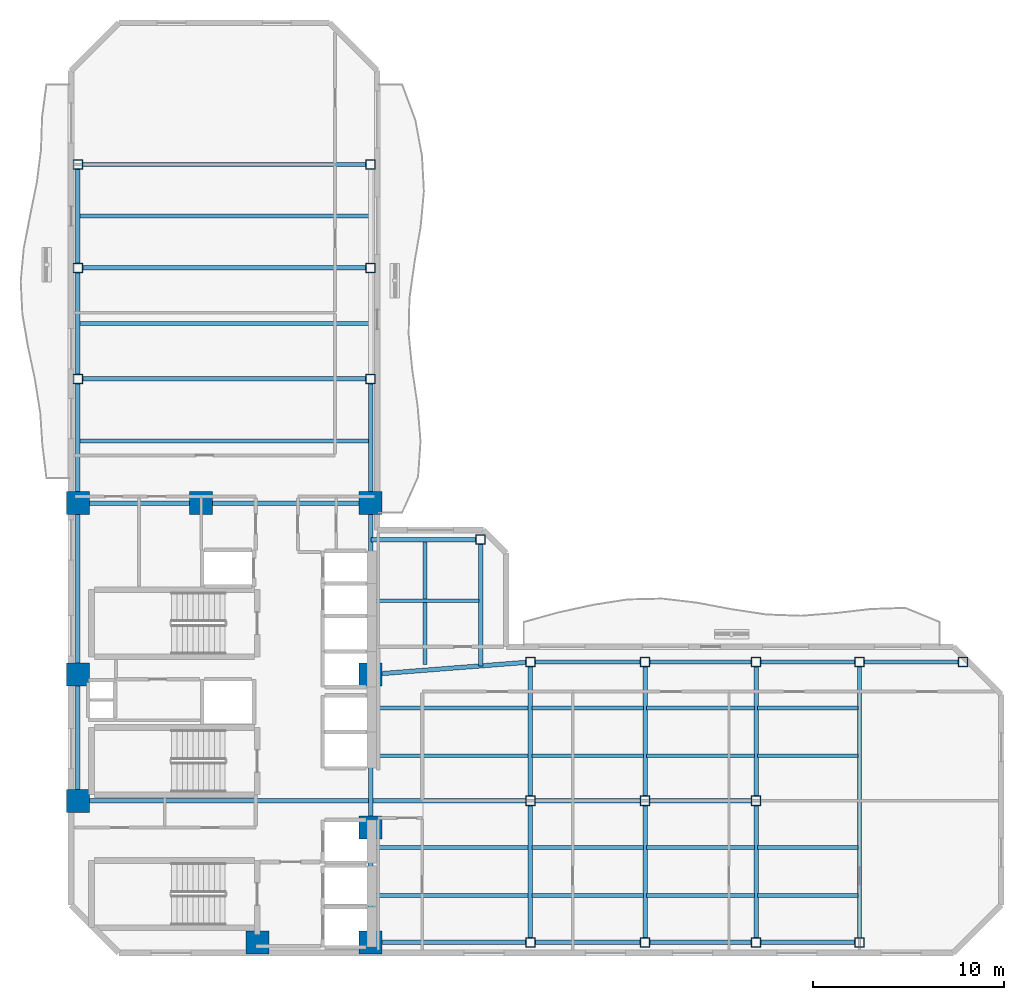
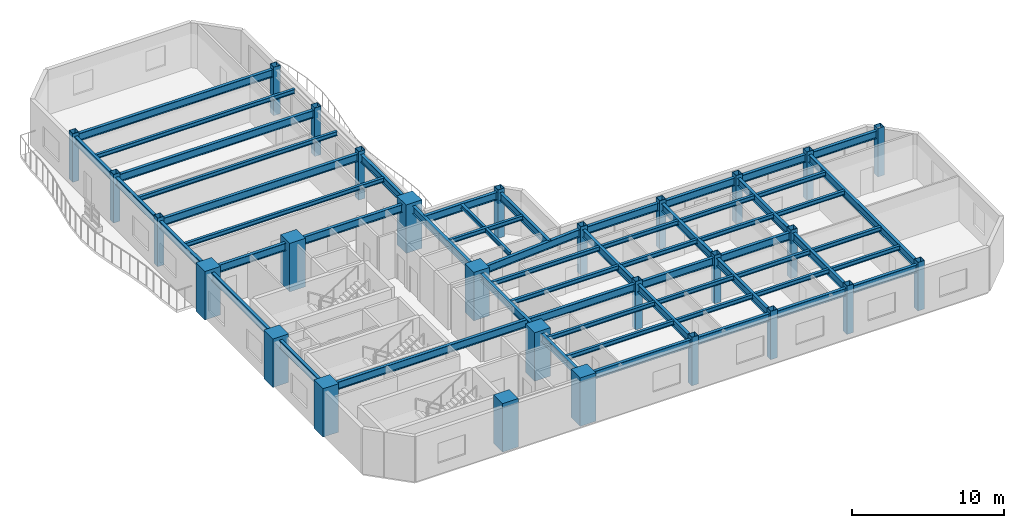
# One storey, part 1 of 9: 56 beams, 28 columns.
"""IFC4 building model written with IfcOpenShell, lengths in metres."""

from ifc_helpers import new_model, si_unit, direction, frame, origin, origin_2d, place, context, subcontext, project, spatial, rectangle, hollow_rectangle, i_section, extrude, material, material_profile, profile_set, type_object, element, save


model = new_model("IFC4")

# Units and contexts
model_context = context("Model", 3, precision=1e-05, world=origin(), true_north=direction((0.0, 1.0)))
body_context = subcontext(model_context, "Body", "Model", "MODEL_VIEW")
ifc_project = project(units=[si_unit("LENGTHUNIT", "METRE"), si_unit("AREAUNIT", "SQUARE_METRE"), si_unit("VOLUMEUNIT", "CUBIC_METRE"), si_unit("PLANEANGLEUNIT", "RADIAN"), si_unit("MASSUNIT", "GRAM", prefix="KILO")], contexts=[model_context])

# Site, building, storey
site_placement = place(None, origin())
site = spatial("IfcSite", under=ifc_project, at=site_placement, CompositionType="ELEMENT")
building_placement = place(site_placement, origin())
building = spatial("IfcBuilding", under=site, at=building_placement, Name="Mawjaban Terraces University", CompositionType="ELEMENT")
storey_placement = place(building_placement, frame((0.0, 0.0, 161.89990234375)))
storey = spatial("IfcBuildingStorey", under=building, at=storey_placement, Name="L39", CompositionType="ELEMENT", Elevation=161.89990234375)

# Columns
ifc_material_1 = material(Name="Concrete C60/75", Category="concrete")
ifc_material_profile_1 = material_profile(ifc_material_1, rectangle(XDim=1.199951171875, YDim=1.199951171875, at=origin_2d()), Name="RC1200X1200")
ifc_profile_set_1 = profile_set([ifc_material_profile_1], Name="Concrete C60/75")
column_type_1 = type_object("IfcColumnType", Name="Col_RC1200X1200", PredefinedType="COLUMN", material=ifc_profile_set_1)
for number, where, z_axis, x_axis, name in (
    (1, (31.75, 0.550048828125, 0.0), (0.0, 0.0, 1.0), (1.0, 0.0, 0.0), "L39 Column CC2"),
    (2, (37.64990234375, 0.550048828125, 0.0), (0.0, 0.0, 1.0), (1.0, 0.0, 0.0), "L39 Column CC3"),
    (3, (22.35009765625, 7.949951171875, 0.0), (0.0, 0.0, 1.0), (1.0, 0.0, 0.0), "L39 Column CC4"),
    (4, (37.64990234375, 6.550048828125, 0.0), (0.0, 0.0, 1.0), (1.0, 0.0, 0.0), "L39 Column CC5"),
    (5, (22.35009765625, 14.550048828125, 0.0), (0.0, 0.0, 1.0), (1.0, 0.0, 0.0), "L39 Column CC6"),
    (6, (37.64990234375, 14.550048828125, 0.0), (0.0, 0.0, 1.0), (1.0, 0.0, 0.0), "L39 Column CC7"),
    (7, (22.35009765625, 23.5, 0.0), (0.0, 0.0, 1.0), (1.0, 0.0, 0.0), "L39 Column CC8"),
    (8, (28.800048828125, 23.5, 0.0), (0.0, 0.0, 1.0), (1.0, 0.0, 0.0), "L39 Column CC9"),
    (9, (37.64990234375, 23.5, 0.0), (0.0, 0.0, 1.0), (1.0, 0.0, 0.0), "L39 Column CC10"),
):
    element("IfcColumn", number, at=place(storey_placement, frame(where, z_axis=z_axis, x_axis=x_axis)), inside=storey, type_object=column_type_1, Name=name, PredefinedType="COLUMN", context=body_context, shape_type="SweptSolid", body=[
        extrude(rectangle(XDim=1.199951171875, YDim=1.199951171875, at=origin_2d()), origin(), (0.0, 0.0, 1.0), 3.900146484375),
    ])
ifc_material_2 = material(Name="Steel EN 10210-1 S355J2H", Category="steel")
ifc_material_profile_2 = material_profile(ifc_material_2, hollow_rectangle(XDim=0.5, YDim=0.5, WallThickness=0.02490234375, at=origin_2d()), Name="SHS500X500X25")
ifc_profile_set_2 = profile_set([ifc_material_profile_2], Name="Steel EN 10210-1 S355J2H")
column_type_2 = type_object("IfcColumnType", Name="Col_SHS500X500X25", PredefinedType="COLUMN", material=ifc_profile_set_2)
for number, where, z_axis, x_axis, name in (
    (10, (46.0, 0.550048828125, 0.0), (0.0, 0.0, 1.0), (1.0, 0.0, 0.0), "L39 Column TE-460-005"),
    (11, (46.0, 7.949951171875, 0.0), (0.0, 0.0, 1.0), (1.0, 0.0, 0.0), "L39 Column TE-460-080"),
    (12, (46.0, 15.199951171875, 0.0), (0.0, 0.0, 1.0), (1.0, 0.0, 0.0), "L39 Column TE-460-152"),
    (13, (52.0, 0.550048828125, 0.0), (0.0, 0.0, 1.0), (1.0, 0.0, 0.0), "L39 Column TE-520-005"),
    (14, (52.0, 7.949951171875, 0.0), (0.0, 0.0, 1.0), (1.0, 0.0, 0.0), "L39 Column TE-520-080"),
    (15, (52.0, 15.199951171875, 0.0), (0.0, 0.0, 1.0), (1.0, 0.0, 0.0), "L39 Column TE-520-152"),
    (16, (57.800048828125, 0.550048828125, 0.0), (0.0, 0.0, 1.0), (1.0, 0.0, 0.0), "L39 Column TE-578-005"),
    (17, (57.800048828125, 7.949951171875, 0.0), (0.0, 0.0, 1.0), (1.0, 0.0, 0.0), "L39 Column TE-578-080"),
    (18, (57.800048828125, 15.199951171875, 0.0), (0.0, 0.0, 1.0), (1.0, 0.0, 0.0), "L39 Column TE-578-152"),
    (19, (63.199951171875, 0.550048828125, 0.0), (0.0, 0.0, 1.0), (1.0, 0.0, 0.0), "L39 Column TE-632-005"),
    (20, (63.199951171875, 15.199951171875, 0.0), (0.0, 0.0, 1.0), (1.0, 0.0, 0.0), "L39 Column TE-632-152"),
    (21, (68.60009765625, 15.199951171875, 0.0), (0.0, 0.0, 1.0), (1.0, 0.0, 0.0), "L39 Column TE-686-152"),
    (22, (22.35009765625, 30.0, 0.0), (0.0, 0.0, 1.0), (1.0, 0.0, 0.0), "L39 Column TN-223-300"),
    (23, (37.64990234375, 30.0, 0.0), (0.0, 0.0, 1.0), (1.0, 0.0, 0.0), "L39 Column TN-376-300"),
    (24, (22.35009765625, 35.800048828125, 0.0), (0.0, 0.0, 1.0), (1.0, 0.0, 0.0), "L39 Column TN-223-358"),
    (25, (37.64990234375, 35.800048828125, 0.0), (0.0, 0.0, 1.0), (1.0, 0.0, 0.0), "L39 Column TN-376-358"),
    (26, (22.35009765625, 41.199951171875, 0.0), (0.0, 0.0, 1.0), (1.0, 0.0, 0.0), "L39 Column TN-223-412"),
    (27, (37.64990234375, 41.199951171875, 0.0), (0.0, 0.0, 1.0), (1.0, 0.0, 0.0), "L39 Column TN-376-412"),
    (28, (43.39990234375, 21.60009765625, 0.0), (0.0, 0.0, 1.0), (1.0, 0.0, 0.0), "L39 Column TS-434-216"),
):
    element("IfcColumn", number, at=place(storey_placement, frame(where, z_axis=z_axis, x_axis=x_axis)), inside=storey, type_object=column_type_2, Name=name, PredefinedType="COLUMN", context=body_context, shape_type="SweptSolid", body=[
        extrude(hollow_rectangle(XDim=0.5, YDim=0.5, WallThickness=0.02490234375, at=origin_2d()), origin(), (0.0, 0.0, 1.0), 3.900146484375),
    ])

# Beams
ifc_material_3 = material(Name="Steel ASTM A572 Grade 50", Category="steel")
ifc_material_profile_3 = material_profile(ifc_material_3, i_section(OverallWidth=0.22998046875, OverallDepth=0.616943359375, WebThickness=0.01318359375, FlangeThickness=0.022216796875, at=origin_2d()), Name="W610X140")
ifc_profile_set_3 = profile_set([ifc_material_profile_3], Name="Steel ASTM A572 Grade 50")
beam_type_1 = type_object("IfcBeamType", Name="Beam_B_W610X140", PredefinedType="BEAM", material=ifc_profile_set_3)
beam_1_placement = place(storey_placement, frame((38.25, 0.550048828125, 3.3310546875), z_axis=(1.0, 0.0, 0.0), x_axis=(0.0, 1.0, 0.0)))
element("IfcBeam", 29, at=beam_1_placement, inside=storey, type_object=beam_type_1, Name="L39 Beam BM-L39-EW-01", PredefinedType="BEAM", context=body_context, shape_type="SweptSolid", body=[
    extrude(i_section(OverallWidth=0.22998046875, OverallDepth=0.616943359375, WebThickness=0.01318359375, FlangeThickness=0.022216796875, at=origin_2d()), origin(), (0.0, 0.0, 1.0), 7.5),
])
beam_2_placement = place(storey_placement, frame((46.25, 0.550048828125, 3.3310546875), z_axis=(1.0, 0.0, 0.0), x_axis=(0.0, 1.0, 0.0)))
element("IfcBeam", 30, at=beam_2_placement, inside=storey, type_object=beam_type_1, Name="L39 Beam BM-L39-EW-02", PredefinedType="BEAM", context=body_context, shape_type="SweptSolid", body=[
    extrude(i_section(OverallWidth=0.22998046875, OverallDepth=0.616943359375, WebThickness=0.01318359375, FlangeThickness=0.022216796875, at=origin_2d()), origin(), (0.0, 0.0, 1.0), 5.5),
])
beam_3_placement = place(storey_placement, frame((52.25, 0.550048828125, 3.3310546875), z_axis=(1.0, 0.0, 0.0), x_axis=(0.0, 1.0, 0.0)))
element("IfcBeam", 31, at=beam_3_placement, inside=storey, type_object=beam_type_1, Name="L39 Beam BM-L39-EW-03", PredefinedType="BEAM", context=body_context, shape_type="SweptSolid", body=[
    extrude(i_section(OverallWidth=0.22998046875, OverallDepth=0.616943359375, WebThickness=0.01318359375, FlangeThickness=0.022216796875, at=origin_2d()), origin(), (0.0, 0.0, 1.0), 5.300048828125),
])
beam_4_placement = place(storey_placement, frame((58.050048828125, 0.550048828125, 3.3310546875), z_axis=(1.0, 0.0, 0.0), x_axis=(0.0, 1.0, 0.0)))
element("IfcBeam", 32, at=beam_4_placement, inside=storey, type_object=beam_type_1, Name="L39 Beam BM-L39-EW-04", PredefinedType="BEAM", context=body_context, shape_type="SweptSolid", body=[
    extrude(i_section(OverallWidth=0.22998046875, OverallDepth=0.616943359375, WebThickness=0.01318359375, FlangeThickness=0.022216796875, at=origin_2d()), origin(), (0.0, 0.0, 1.0), 4.89990234375),
])
beam_5_placement = place(storey_placement, frame((22.949951171875, 7.949951171875, 3.3310546875), z_axis=(1.0, 0.0, 0.0), x_axis=(0.0, 1.0, 0.0)))
element("IfcBeam", 33, at=beam_5_placement, inside=storey, type_object=beam_type_1, Name="L39 Beam BM-L39-EW-05", PredefinedType="BEAM", context=body_context, shape_type="SweptSolid", body=[
    extrude(i_section(OverallWidth=0.22998046875, OverallDepth=0.616943359375, WebThickness=0.01318359375, FlangeThickness=0.022216796875, at=origin_2d()), origin(), (0.0, 0.0, 1.0), 22.800048828125),
])
beam_6_placement = place(storey_placement, frame((46.25, 7.949951171875, 3.3310546875), z_axis=(1.0, 0.0, 0.0), x_axis=(0.0, 1.0, 0.0)))
element("IfcBeam", 34, at=beam_6_placement, inside=storey, type_object=beam_type_1, Name="L39 Beam BM-L39-EW-06", PredefinedType="BEAM", context=body_context, shape_type="SweptSolid", body=[
    extrude(i_section(OverallWidth=0.22998046875, OverallDepth=0.616943359375, WebThickness=0.01318359375, FlangeThickness=0.022216796875, at=origin_2d()), origin(), (0.0, 0.0, 1.0), 5.5),
])
beam_7_placement = place(storey_placement, frame((52.25, 7.949951171875, 3.3310546875), z_axis=(1.0, 0.0, 0.0), x_axis=(0.0, 1.0, 0.0)))
element("IfcBeam", 35, at=beam_7_placement, inside=storey, type_object=beam_type_1, Name="L39 Beam BM-L39-EW-07", PredefinedType="BEAM", context=body_context, shape_type="SweptSolid", body=[
    extrude(i_section(OverallWidth=0.22998046875, OverallDepth=0.616943359375, WebThickness=0.01318359375, FlangeThickness=0.022216796875, at=origin_2d()), origin(), (0.0, 0.0, 1.0), 5.300048828125),
])
beam_8_placement = place(storey_placement, frame((46.25, 15.199951171875, 3.3310546875), z_axis=(1.0, 0.0, 0.0), x_axis=(0.0, 1.0, 0.0)))
element("IfcBeam", 36, at=beam_8_placement, inside=storey, type_object=beam_type_1, Name="L39 Beam BM-L39-EW-08", PredefinedType="BEAM", context=body_context, shape_type="SweptSolid", body=[
    extrude(i_section(OverallWidth=0.22998046875, OverallDepth=0.616943359375, WebThickness=0.01318359375, FlangeThickness=0.022216796875, at=origin_2d()), origin(), (0.0, 0.0, 1.0), 5.5),
])
beam_9_placement = place(storey_placement, frame((52.25, 15.199951171875, 3.3310546875), z_axis=(1.0, 0.0, 0.0), x_axis=(0.0, 1.0, 0.0)))
element("IfcBeam", 37, at=beam_9_placement, inside=storey, type_object=beam_type_1, Name="L39 Beam BM-L39-EW-09", PredefinedType="BEAM", context=body_context, shape_type="SweptSolid", body=[
    extrude(i_section(OverallWidth=0.22998046875, OverallDepth=0.616943359375, WebThickness=0.01318359375, FlangeThickness=0.022216796875, at=origin_2d()), origin(), (0.0, 0.0, 1.0), 5.300048828125),
])
beam_10_placement = place(storey_placement, frame((58.050048828125, 15.199951171875, 3.3310546875), z_axis=(1.0, 0.0, 0.0), x_axis=(0.0, 1.0, 0.0)))
element("IfcBeam", 38, at=beam_10_placement, inside=storey, type_object=beam_type_1, Name="L39 Beam BM-L39-EW-10", PredefinedType="BEAM", context=body_context, shape_type="SweptSolid", body=[
    extrude(i_section(OverallWidth=0.22998046875, OverallDepth=0.616943359375, WebThickness=0.01318359375, FlangeThickness=0.022216796875, at=origin_2d()), origin(), (0.0, 0.0, 1.0), 4.89990234375),
])
beam_11_placement = place(storey_placement, frame((63.449951171875, 15.199951171875, 3.3310546875), z_axis=(1.0, 0.0, 0.0), x_axis=(0.0, 1.0, 0.0)))
element("IfcBeam", 39, at=beam_11_placement, inside=storey, type_object=beam_type_1, Name="L39 Beam BM-L39-EW-11", PredefinedType="BEAM", context=body_context, shape_type="SweptSolid", body=[
    extrude(i_section(OverallWidth=0.22998046875, OverallDepth=0.616943359375, WebThickness=0.01318359375, FlangeThickness=0.022216796875, at=origin_2d()), origin(), (0.0, 0.0, 1.0), 4.900146484375),
])
beam_12_placement = place(storey_placement, frame((22.949951171875, 23.5, 3.3310546875), z_axis=(1.0, 0.0, 0.0), x_axis=(0.0, 1.0, 0.0)))
element("IfcBeam", 40, at=beam_12_placement, inside=storey, type_object=beam_type_1, Name="L39 Beam BM-L39-EW-12", PredefinedType="BEAM", context=body_context, shape_type="SweptSolid", body=[
    extrude(i_section(OverallWidth=0.22998046875, OverallDepth=0.616943359375, WebThickness=0.01318359375, FlangeThickness=0.022216796875, at=origin_2d()), origin(), (0.0, 0.0, 1.0), 5.25),
])
beam_13_placement = place(storey_placement, frame((29.39990234375, 23.5, 3.3310546875), z_axis=(1.0, 0.0, 0.0), x_axis=(0.0, 1.0, 0.0)))
element("IfcBeam", 41, at=beam_13_placement, inside=storey, type_object=beam_type_1, Name="L39 Beam BM-L39-EW-13", PredefinedType="BEAM", context=body_context, shape_type="SweptSolid", body=[
    extrude(i_section(OverallWidth=0.22998046875, OverallDepth=0.616943359375, WebThickness=0.01318359375, FlangeThickness=0.022216796875, at=origin_2d()), origin(), (0.0, 0.0, 1.0), 7.650146484375),
])
for number, where, z_axis, x_axis, name in (
    (42, (22.60009765625, 30.0, 3.3310546875), (1.0, 0.0, 0.0), (0.0, 1.0, 0.0), "L39 Beam BM-L39-EW-14"),
    (43, (22.60009765625, 35.800048828125, 3.3310546875), (1.0, 0.0, 0.0), (0.0, 1.0, 0.0), "L39 Beam BM-L39-EW-15"),
    (44, (22.60009765625, 41.199951171875, 3.3310546875), (1.0, 0.0, 0.0), (0.0, 1.0, 0.0), "L39 Beam BM-L39-EW-16"),
):
    element("IfcBeam", number, at=place(storey_placement, frame(where, z_axis=z_axis, x_axis=x_axis)), inside=storey, type_object=beam_type_1, Name=name, PredefinedType="BEAM", context=body_context, shape_type="SweptSolid", body=[
        extrude(i_section(OverallWidth=0.22998046875, OverallDepth=0.616943359375, WebThickness=0.01318359375, FlangeThickness=0.022216796875, at=origin_2d()), origin(), (0.0, 0.0, 1.0), 14.7998046875),
    ])
beam_14_placement = place(storey_placement, frame((22.35009765625, 8.550048828125, 3.3310546875), z_axis=(0.0, 1.0, 0.0), x_axis=(-1.0, 0.0, 0.0)))
element("IfcBeam", 45, at=beam_14_placement, inside=storey, type_object=beam_type_1, Name="L39 Beam BM-L39-NS-01", PredefinedType="BEAM", context=body_context, shape_type="SweptSolid", body=[
    extrude(i_section(OverallWidth=0.22998046875, OverallDepth=0.616943359375, WebThickness=0.01318359375, FlangeThickness=0.022216796875, at=origin_2d()), origin(), (0.0, 0.0, 1.0), 5.39990234375),
])
beam_15_placement = place(storey_placement, frame((22.35009765625, 15.14990234375, 3.3310546875), z_axis=(0.0, 1.0, 0.0), x_axis=(-1.0, 0.0, 0.0)))
element("IfcBeam", 46, at=beam_15_placement, inside=storey, type_object=beam_type_1, Name="L39 Beam BM-L39-NS-02", PredefinedType="BEAM", context=body_context, shape_type="SweptSolid", body=[
    extrude(i_section(OverallWidth=0.22998046875, OverallDepth=0.616943359375, WebThickness=0.01318359375, FlangeThickness=0.022216796875, at=origin_2d()), origin(), (0.0, 0.0, 1.0), 7.75),
])
beam_16_placement = place(storey_placement, frame((22.35009765625, 24.10009765625, 3.3310546875), z_axis=(0.0, 1.0, 0.0), x_axis=(-1.0, 0.0, 0.0)))
element("IfcBeam", 47, at=beam_16_placement, inside=storey, type_object=beam_type_1, Name="L39 Beam BM-L39-NS-03", PredefinedType="BEAM", context=body_context, shape_type="SweptSolid", body=[
    extrude(i_section(OverallWidth=0.22998046875, OverallDepth=0.616943359375, WebThickness=0.01318359375, FlangeThickness=0.022216796875, at=origin_2d()), origin(), (0.0, 0.0, 1.0), 5.64990234375),
])
beam_17_placement = place(storey_placement, frame((22.35009765625, 30.25, 3.3310546875), z_axis=(0.0, 1.0, 0.0), x_axis=(-1.0, 0.0, 0.0)))
element("IfcBeam", 48, at=beam_17_placement, inside=storey, type_object=beam_type_1, Name="L39 Beam BM-L39-NS-04", PredefinedType="BEAM", context=body_context, shape_type="SweptSolid", body=[
    extrude(i_section(OverallWidth=0.22998046875, OverallDepth=0.616943359375, WebThickness=0.01318359375, FlangeThickness=0.022216796875, at=origin_2d()), origin(), (0.0, 0.0, 1.0), 5.300048828125),
])
beam_18_placement = place(storey_placement, frame((22.35009765625, 36.050048828125, 3.3310546875), z_axis=(0.0, 1.0, 0.0), x_axis=(-1.0, 0.0, 0.0)))
element("IfcBeam", 49, at=beam_18_placement, inside=storey, type_object=beam_type_1, Name="L39 Beam BM-L39-NS-05", PredefinedType="BEAM", context=body_context, shape_type="SweptSolid", body=[
    extrude(i_section(OverallWidth=0.22998046875, OverallDepth=0.616943359375, WebThickness=0.01318359375, FlangeThickness=0.022216796875, at=origin_2d()), origin(), (0.0, 0.0, 1.0), 4.89990234375),
])
beam_19_placement = place(storey_placement, frame((37.64990234375, 1.14990234375, 3.3310546875), z_axis=(0.0, 1.0, 0.0), x_axis=(-1.0, 0.0, 0.0)))
element("IfcBeam", 50, at=beam_19_placement, inside=storey, type_object=beam_type_1, Name="L39 Beam BM-L39-NS-06", PredefinedType="BEAM", context=body_context, shape_type="SweptSolid", body=[
    extrude(i_section(OverallWidth=0.22998046875, OverallDepth=0.616943359375, WebThickness=0.01318359375, FlangeThickness=0.022216796875, at=origin_2d()), origin(), (0.0, 0.0, 1.0), 4.800048828125),
])
beam_20_placement = place(storey_placement, frame((37.64990234375, 7.14990234375, 3.3310546875), z_axis=(0.0, 1.0, 0.0), x_axis=(-1.0, 0.0, 0.0)))
element("IfcBeam", 51, at=beam_20_placement, inside=storey, type_object=beam_type_1, Name="L39 Beam BM-L39-NS-07", PredefinedType="BEAM", context=body_context, shape_type="SweptSolid", body=[
    extrude(i_section(OverallWidth=0.22998046875, OverallDepth=0.616943359375, WebThickness=0.01318359375, FlangeThickness=0.022216796875, at=origin_2d()), origin(), (0.0, 0.0, 1.0), 6.800048828125),
])
beam_21_placement = place(storey_placement, frame((37.64990234375, 15.14990234375, 3.3310546875), z_axis=(0.0, 1.0, 0.0), x_axis=(-1.0, 0.0, 0.0)))
element("IfcBeam", 52, at=beam_21_placement, inside=storey, type_object=beam_type_1, Name="L39 Beam BM-L39-NS-08", PredefinedType="BEAM", context=body_context, shape_type="SweptSolid", body=[
    extrude(i_section(OverallWidth=0.22998046875, OverallDepth=0.616943359375, WebThickness=0.01318359375, FlangeThickness=0.022216796875, at=origin_2d()), origin(), (0.0, 0.0, 1.0), 7.75),
])
beam_22_placement = place(storey_placement, frame((37.64990234375, 24.10009765625, 3.3310546875), z_axis=(0.0, 1.0, 0.0), x_axis=(-1.0, 0.0, 0.0)))
element("IfcBeam", 53, at=beam_22_placement, inside=storey, type_object=beam_type_1, Name="L39 Beam BM-L39-NS-09", PredefinedType="BEAM", context=body_context, shape_type="SweptSolid", body=[
    extrude(i_section(OverallWidth=0.22998046875, OverallDepth=0.616943359375, WebThickness=0.01318359375, FlangeThickness=0.022216796875, at=origin_2d()), origin(), (0.0, 0.0, 1.0), 5.64990234375),
])
beam_23_placement = place(storey_placement, frame((46.0, 0.800048828125, 3.3310546875), z_axis=(0.0, 1.0, 0.0), x_axis=(-1.0, 0.0, 0.0)))
element("IfcBeam", 54, at=beam_23_placement, inside=storey, type_object=beam_type_1, Name="L39 Beam BM-L39-NS-12", PredefinedType="BEAM", context=body_context, shape_type="SweptSolid", body=[
    extrude(i_section(OverallWidth=0.22998046875, OverallDepth=0.616943359375, WebThickness=0.01318359375, FlangeThickness=0.022216796875, at=origin_2d()), origin(), (0.0, 0.0, 1.0), 6.89990234375),
])
beam_24_placement = place(storey_placement, frame((46.0, 8.199951171875, 3.3310546875), z_axis=(0.0, 1.0, 0.0), x_axis=(-1.0, 0.0, 0.0)))
element("IfcBeam", 55, at=beam_24_placement, inside=storey, type_object=beam_type_1, Name="L39 Beam BM-L39-NS-13", PredefinedType="BEAM", context=body_context, shape_type="SweptSolid", body=[
    extrude(i_section(OverallWidth=0.22998046875, OverallDepth=0.616943359375, WebThickness=0.01318359375, FlangeThickness=0.022216796875, at=origin_2d()), origin(), (0.0, 0.0, 1.0), 6.75),
])
beam_25_placement = place(storey_placement, frame((52.0, 0.800048828125, 3.3310546875), z_axis=(0.0, 1.0, 0.0), x_axis=(-1.0, 0.0, 0.0)))
element("IfcBeam", 56, at=beam_25_placement, inside=storey, type_object=beam_type_1, Name="L39 Beam BM-L39-NS-14", PredefinedType="BEAM", context=body_context, shape_type="SweptSolid", body=[
    extrude(i_section(OverallWidth=0.22998046875, OverallDepth=0.616943359375, WebThickness=0.01318359375, FlangeThickness=0.022216796875, at=origin_2d()), origin(), (0.0, 0.0, 1.0), 6.89990234375),
])
beam_26_placement = place(storey_placement, frame((52.0, 8.199951171875, 3.3310546875), z_axis=(0.0, 1.0, 0.0), x_axis=(-1.0, 0.0, 0.0)))
element("IfcBeam", 57, at=beam_26_placement, inside=storey, type_object=beam_type_1, Name="L39 Beam BM-L39-NS-15", PredefinedType="BEAM", context=body_context, shape_type="SweptSolid", body=[
    extrude(i_section(OverallWidth=0.22998046875, OverallDepth=0.616943359375, WebThickness=0.01318359375, FlangeThickness=0.022216796875, at=origin_2d()), origin(), (0.0, 0.0, 1.0), 6.75),
])
beam_27_placement = place(storey_placement, frame((57.800048828125, 0.800048828125, 3.3310546875), z_axis=(0.0, 1.0, 0.0), x_axis=(-1.0, 0.0, 0.0)))
element("IfcBeam", 58, at=beam_27_placement, inside=storey, type_object=beam_type_1, Name="L39 Beam BM-L39-NS-16", PredefinedType="BEAM", context=body_context, shape_type="SweptSolid", body=[
    extrude(i_section(OverallWidth=0.22998046875, OverallDepth=0.616943359375, WebThickness=0.01318359375, FlangeThickness=0.022216796875, at=origin_2d()), origin(), (0.0, 0.0, 1.0), 6.89990234375),
])
beam_28_placement = place(storey_placement, frame((57.800048828125, 8.199951171875, 3.3310546875), z_axis=(0.0, 1.0, 0.0), x_axis=(-1.0, 0.0, 0.0)))
element("IfcBeam", 59, at=beam_28_placement, inside=storey, type_object=beam_type_1, Name="L39 Beam BM-L39-NS-17", PredefinedType="BEAM", context=body_context, shape_type="SweptSolid", body=[
    extrude(i_section(OverallWidth=0.22998046875, OverallDepth=0.616943359375, WebThickness=0.01318359375, FlangeThickness=0.022216796875, at=origin_2d()), origin(), (0.0, 0.0, 1.0), 6.75),
])
beam_29_placement = place(storey_placement, frame((63.199951171875, 0.800048828125, 3.3310546875), z_axis=(0.0, 1.0, 0.0), x_axis=(-1.0, 0.0, 0.0)))
element("IfcBeam", 60, at=beam_29_placement, inside=storey, type_object=beam_type_1, Name="L39 Beam BM-L39-NS-18", PredefinedType="BEAM", context=body_context, shape_type="SweptSolid", body=[
    extrude(i_section(OverallWidth=0.22998046875, OverallDepth=0.616943359375, WebThickness=0.01318359375, FlangeThickness=0.022216796875, at=origin_2d()), origin(), (0.0, 0.0, 1.0), 14.14990234375),
])
beam_30_placement = place(storey_placement, frame((38.248046875, 14.596923828125, 3.3310546875), z_axis=(0.996984614132, 0.077599479273, 0.0), x_axis=(-0.077599479273, 0.996984614132, 0.0)))
element("IfcBeam", 61, at=beam_30_placement, inside=storey, type_object=beam_type_1, Name="L39 Beam BM-L39-CTIE", PredefinedType="BEAM", context=body_context, shape_type="SweptSolid", body=[
    extrude(i_section(OverallWidth=0.22998046875, OverallDepth=0.616943359375, WebThickness=0.01318359375, FlangeThickness=0.022216796875, at=origin_2d()), origin(), (0.0, 0.0, 1.0), 7.525634765625),
])
beam_31_placement = place(storey_placement, frame((37.679931640625, 21.60009765625, 3.3310546875), z_axis=(1.0, 0.0, 0.0), x_axis=(0.0, 1.0, 0.0)))
element("IfcBeam", 62, at=beam_31_placement, inside=storey, type_object=beam_type_1, Name="L39 Spur Tie Girder West", PredefinedType="BEAM", context=body_context, shape_type="SweptSolid", body=[
    extrude(i_section(OverallWidth=0.22998046875, OverallDepth=0.616943359375, WebThickness=0.01318359375, FlangeThickness=0.022216796875, at=origin_2d()), origin(), (0.0, 0.0, 1.0), 5.469970703125),
])
beam_32_placement = place(storey_placement, frame((43.39990234375, 15.0, 3.3310546875), z_axis=(0.0, 1.0, 0.0), x_axis=(-1.0, 0.0, 0.0)))
element("IfcBeam", 63, at=beam_32_placement, inside=storey, type_object=beam_type_1, Name="L39 Spur Tie Girder South", PredefinedType="BEAM", context=body_context, shape_type="SweptSolid", body=[
    extrude(i_section(OverallWidth=0.22998046875, OverallDepth=0.616943359375, WebThickness=0.01318359375, FlangeThickness=0.022216796875, at=origin_2d()), origin(), (0.0, 0.0, 1.0), 6.35009765625),
])
ifc_material_profile_4 = material_profile(ifc_material_3, i_section(OverallWidth=0.202880859375, OverallDepth=0.346923828125, WebThickness=0.0078125, FlangeThickness=0.013427734375, at=origin_2d()), Name="W360X64")
ifc_profile_set_4 = profile_set([ifc_material_profile_4], Name="Steel ASTM A572 Grade 50")
beam_type_2 = type_object("IfcBeamType", Name="Beam_J_W360X64", PredefinedType="JOIST", material=ifc_profile_set_4)
beam_33_placement = place(storey_placement, frame((37.72998046875, 3.0, 3.467041015625), z_axis=(1.0, 0.0, 0.0), x_axis=(0.0, 1.0, 0.0)))
element("IfcBeam", 64, at=beam_33_placement, inside=storey, type_object=beam_type_2, Name="L39 Composite Joist JST-L39-01", PredefinedType="JOIST", context=body_context, shape_type="SweptSolid", body=[
    extrude(i_section(OverallWidth=0.202880859375, OverallDepth=0.346923828125, WebThickness=0.0078125, FlangeThickness=0.013427734375, at=origin_2d()), origin(), (0.0, 0.0, 1.0), 8.18994140625),
])
beam_34_placement = place(storey_placement, frame((46.080078125, 3.0, 3.467041015625), z_axis=(1.0, 0.0, 0.0), x_axis=(0.0, 1.0, 0.0)))
element("IfcBeam", 65, at=beam_34_placement, inside=storey, type_object=beam_type_2, Name="L39 Composite Joist JST-L39-02", PredefinedType="JOIST", context=body_context, shape_type="SweptSolid", body=[
    extrude(i_section(OverallWidth=0.202880859375, OverallDepth=0.346923828125, WebThickness=0.0078125, FlangeThickness=0.013427734375, at=origin_2d()), origin(), (0.0, 0.0, 1.0), 5.83984375),
])
beam_35_placement = place(storey_placement, frame((52.080078125, 3.0, 3.467041015625), z_axis=(1.0, 0.0, 0.0), x_axis=(0.0, 1.0, 0.0)))
element("IfcBeam", 66, at=beam_35_placement, inside=storey, type_object=beam_type_2, Name="L39 Composite Joist JST-L39-03", PredefinedType="JOIST", context=body_context, shape_type="SweptSolid", body=[
    extrude(i_section(OverallWidth=0.202880859375, OverallDepth=0.346923828125, WebThickness=0.0078125, FlangeThickness=0.013427734375, at=origin_2d()), origin(), (0.0, 0.0, 1.0), 5.639892578125),
])
beam_36_placement = place(storey_placement, frame((57.8798828125, 3.0, 3.467041015625), z_axis=(1.0, 0.0, 0.0), x_axis=(0.0, 1.0, 0.0)))
element("IfcBeam", 67, at=beam_36_placement, inside=storey, type_object=beam_type_2, Name="L39 Composite Joist JST-L39-04", PredefinedType="JOIST", context=body_context, shape_type="SweptSolid", body=[
    extrude(i_section(OverallWidth=0.202880859375, OverallDepth=0.346923828125, WebThickness=0.0078125, FlangeThickness=0.013427734375, at=origin_2d()), origin(), (0.0, 0.0, 1.0), 5.240234375),
])
beam_37_placement = place(storey_placement, frame((37.72998046875, 5.5, 3.467041015625), z_axis=(1.0, 0.0, 0.0), x_axis=(0.0, 1.0, 0.0)))
element("IfcBeam", 68, at=beam_37_placement, inside=storey, type_object=beam_type_2, Name="L39 Composite Joist JST-L39-05", PredefinedType="JOIST", context=body_context, shape_type="SweptSolid", body=[
    extrude(i_section(OverallWidth=0.202880859375, OverallDepth=0.346923828125, WebThickness=0.0078125, FlangeThickness=0.013427734375, at=origin_2d()), origin(), (0.0, 0.0, 1.0), 8.18994140625),
])
beam_38_placement = place(storey_placement, frame((46.080078125, 5.5, 3.467041015625), z_axis=(1.0, 0.0, 0.0), x_axis=(0.0, 1.0, 0.0)))
element("IfcBeam", 69, at=beam_38_placement, inside=storey, type_object=beam_type_2, Name="L39 Composite Joist JST-L39-06", PredefinedType="JOIST", context=body_context, shape_type="SweptSolid", body=[
    extrude(i_section(OverallWidth=0.202880859375, OverallDepth=0.346923828125, WebThickness=0.0078125, FlangeThickness=0.013427734375, at=origin_2d()), origin(), (0.0, 0.0, 1.0), 5.83984375),
])
beam_39_placement = place(storey_placement, frame((52.080078125, 5.5, 3.467041015625), z_axis=(1.0, 0.0, 0.0), x_axis=(0.0, 1.0, 0.0)))
element("IfcBeam", 70, at=beam_39_placement, inside=storey, type_object=beam_type_2, Name="L39 Composite Joist JST-L39-07", PredefinedType="JOIST", context=body_context, shape_type="SweptSolid", body=[
    extrude(i_section(OverallWidth=0.202880859375, OverallDepth=0.346923828125, WebThickness=0.0078125, FlangeThickness=0.013427734375, at=origin_2d()), origin(), (0.0, 0.0, 1.0), 5.639892578125),
])
beam_40_placement = place(storey_placement, frame((57.8798828125, 5.5, 3.467041015625), z_axis=(1.0, 0.0, 0.0), x_axis=(0.0, 1.0, 0.0)))
element("IfcBeam", 71, at=beam_40_placement, inside=storey, type_object=beam_type_2, Name="L39 Composite Joist JST-L39-08", PredefinedType="JOIST", context=body_context, shape_type="SweptSolid", body=[
    extrude(i_section(OverallWidth=0.202880859375, OverallDepth=0.346923828125, WebThickness=0.0078125, FlangeThickness=0.013427734375, at=origin_2d()), origin(), (0.0, 0.0, 1.0), 5.240234375),
])
beam_41_placement = place(storey_placement, frame((37.72998046875, 10.300048828125, 3.467041015625), z_axis=(1.0, 0.0, 0.0), x_axis=(0.0, 1.0, 0.0)))
element("IfcBeam", 72, at=beam_41_placement, inside=storey, type_object=beam_type_2, Name="L39 Composite Joist JST-L39-09", PredefinedType="JOIST", context=body_context, shape_type="SweptSolid", body=[
    extrude(i_section(OverallWidth=0.202880859375, OverallDepth=0.346923828125, WebThickness=0.0078125, FlangeThickness=0.013427734375, at=origin_2d()), origin(), (0.0, 0.0, 1.0), 8.18994140625),
])
beam_42_placement = place(storey_placement, frame((46.080078125, 10.300048828125, 3.467041015625), z_axis=(1.0, 0.0, 0.0), x_axis=(0.0, 1.0, 0.0)))
element("IfcBeam", 73, at=beam_42_placement, inside=storey, type_object=beam_type_2, Name="L39 Composite Joist JST-L39-10", PredefinedType="JOIST", context=body_context, shape_type="SweptSolid", body=[
    extrude(i_section(OverallWidth=0.202880859375, OverallDepth=0.346923828125, WebThickness=0.0078125, FlangeThickness=0.013427734375, at=origin_2d()), origin(), (0.0, 0.0, 1.0), 5.83984375),
])
beam_43_placement = place(storey_placement, frame((52.080078125, 10.300048828125, 3.467041015625), z_axis=(1.0, 0.0, 0.0), x_axis=(0.0, 1.0, 0.0)))
element("IfcBeam", 74, at=beam_43_placement, inside=storey, type_object=beam_type_2, Name="L39 Composite Joist JST-L39-11", PredefinedType="JOIST", context=body_context, shape_type="SweptSolid", body=[
    extrude(i_section(OverallWidth=0.202880859375, OverallDepth=0.346923828125, WebThickness=0.0078125, FlangeThickness=0.013427734375, at=origin_2d()), origin(), (0.0, 0.0, 1.0), 5.639892578125),
])
beam_44_placement = place(storey_placement, frame((57.8798828125, 10.300048828125, 3.467041015625), z_axis=(1.0, 0.0, 0.0), x_axis=(0.0, 1.0, 0.0)))
element("IfcBeam", 75, at=beam_44_placement, inside=storey, type_object=beam_type_2, Name="L39 Composite Joist JST-L39-12", PredefinedType="JOIST", context=body_context, shape_type="SweptSolid", body=[
    extrude(i_section(OverallWidth=0.202880859375, OverallDepth=0.346923828125, WebThickness=0.0078125, FlangeThickness=0.013427734375, at=origin_2d()), origin(), (0.0, 0.0, 1.0), 5.240234375),
])
beam_45_placement = place(storey_placement, frame((37.72998046875, 12.800048828125, 3.467041015625), z_axis=(1.0, 0.0, 0.0), x_axis=(0.0, 1.0, 0.0)))
element("IfcBeam", 76, at=beam_45_placement, inside=storey, type_object=beam_type_2, Name="L39 Composite Joist JST-L39-13", PredefinedType="JOIST", context=body_context, shape_type="SweptSolid", body=[
    extrude(i_section(OverallWidth=0.202880859375, OverallDepth=0.346923828125, WebThickness=0.0078125, FlangeThickness=0.013427734375, at=origin_2d()), origin(), (0.0, 0.0, 1.0), 8.18994140625),
])
beam_46_placement = place(storey_placement, frame((46.080078125, 12.800048828125, 3.467041015625), z_axis=(1.0, 0.0, 0.0), x_axis=(0.0, 1.0, 0.0)))
element("IfcBeam", 77, at=beam_46_placement, inside=storey, type_object=beam_type_2, Name="L39 Composite Joist JST-L39-14", PredefinedType="JOIST", context=body_context, shape_type="SweptSolid", body=[
    extrude(i_section(OverallWidth=0.202880859375, OverallDepth=0.346923828125, WebThickness=0.0078125, FlangeThickness=0.013427734375, at=origin_2d()), origin(), (0.0, 0.0, 1.0), 5.83984375),
])
beam_47_placement = place(storey_placement, frame((52.080078125, 12.800048828125, 3.467041015625), z_axis=(1.0, 0.0, 0.0), x_axis=(0.0, 1.0, 0.0)))
element("IfcBeam", 78, at=beam_47_placement, inside=storey, type_object=beam_type_2, Name="L39 Composite Joist JST-L39-15", PredefinedType="JOIST", context=body_context, shape_type="SweptSolid", body=[
    extrude(i_section(OverallWidth=0.202880859375, OverallDepth=0.346923828125, WebThickness=0.0078125, FlangeThickness=0.013427734375, at=origin_2d()), origin(), (0.0, 0.0, 1.0), 5.639892578125),
])
beam_48_placement = place(storey_placement, frame((57.8798828125, 12.800048828125, 3.467041015625), z_axis=(1.0, 0.0, 0.0), x_axis=(0.0, 1.0, 0.0)))
element("IfcBeam", 79, at=beam_48_placement, inside=storey, type_object=beam_type_2, Name="L39 Composite Joist JST-L39-16", PredefinedType="JOIST", context=body_context, shape_type="SweptSolid", body=[
    extrude(i_section(OverallWidth=0.202880859375, OverallDepth=0.346923828125, WebThickness=0.0078125, FlangeThickness=0.013427734375, at=origin_2d()), origin(), (0.0, 0.0, 1.0), 5.240234375),
])
beam_49_placement = place(storey_placement, frame((37.72998046875, 18.39990234375, 3.467041015625), z_axis=(1.0, 0.0, 0.0), x_axis=(0.0, 1.0, 0.0)))
element("IfcBeam", 80, at=beam_49_placement, inside=storey, type_object=beam_type_2, Name="L39 Composite Joist JST-L39-17", PredefinedType="JOIST", context=body_context, shape_type="SweptSolid", body=[
    extrude(i_section(OverallWidth=0.202880859375, OverallDepth=0.346923828125, WebThickness=0.0078125, FlangeThickness=0.013427734375, at=origin_2d()), origin(), (0.0, 0.0, 1.0), 5.590087890625),
])
for number, where, z_axis, x_axis, name in (
    (81, (22.429931640625, 26.75, 3.467041015625), (1.0, 0.0, 0.0), (0.0, 1.0, 0.0), "L39 Composite Joist JST-L39-18"),
    (82, (22.429931640625, 32.89990234375, 3.467041015625), (1.0, 0.0, 0.0), (0.0, 1.0, 0.0), "L39 Composite Joist JST-L39-19"),
    (83, (22.429931640625, 38.5, 3.467041015625), (1.0, 0.0, 0.0), (0.0, 1.0, 0.0), "L39 Composite Joist JST-L39-20"),
):
    element("IfcBeam", number, at=place(storey_placement, frame(where, z_axis=z_axis, x_axis=x_axis)), inside=storey, type_object=beam_type_2, Name=name, PredefinedType="JOIST", context=body_context, shape_type="SweptSolid", body=[
        extrude(i_section(OverallWidth=0.202880859375, OverallDepth=0.346923828125, WebThickness=0.0078125, FlangeThickness=0.013427734375, at=origin_2d()), origin(), (0.0, 0.0, 1.0), 15.14013671875),
    ])
beam_50_placement = place(storey_placement, frame((40.5, 15.080078125, 3.467041015625), z_axis=(0.0, 1.0, 0.0), x_axis=(-1.0, 0.0, 0.0)))
element("IfcBeam", 84, at=beam_50_placement, inside=storey, type_object=beam_type_2, Name="L39 Composite Joist JST-L39-NS-21", PredefinedType="JOIST", context=body_context, shape_type="SweptSolid", body=[
    extrude(i_section(OverallWidth=0.202880859375, OverallDepth=0.346923828125, WebThickness=0.0078125, FlangeThickness=0.013427734375, at=origin_2d()), origin(), (0.0, 0.0, 1.0), 6.43994140625),
])

save(model, "model.ifc")
